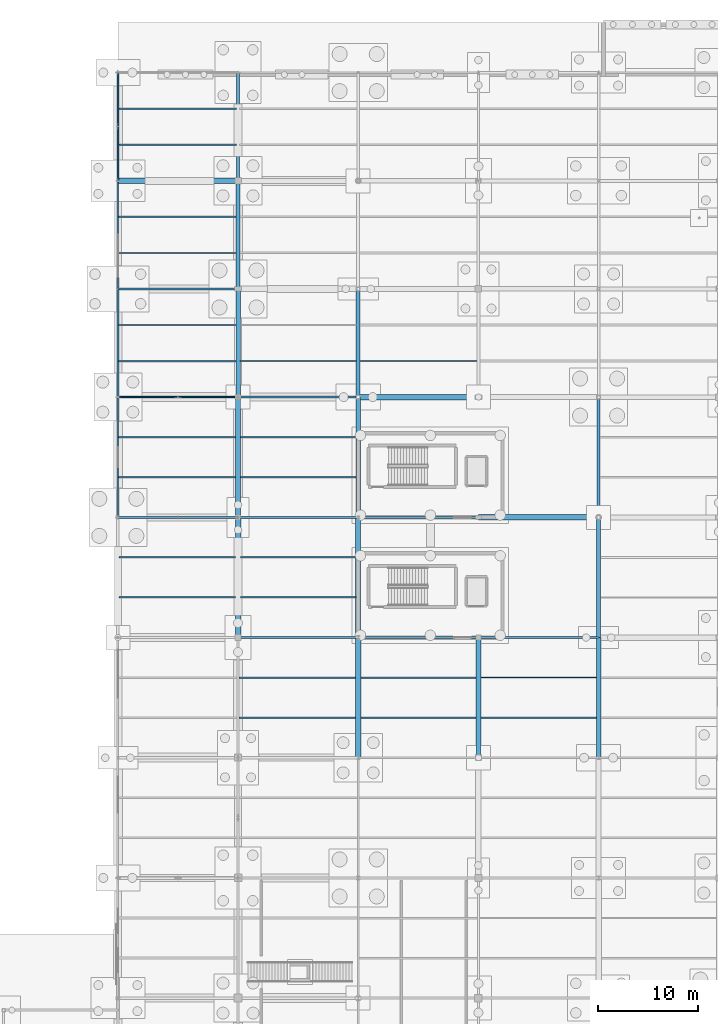
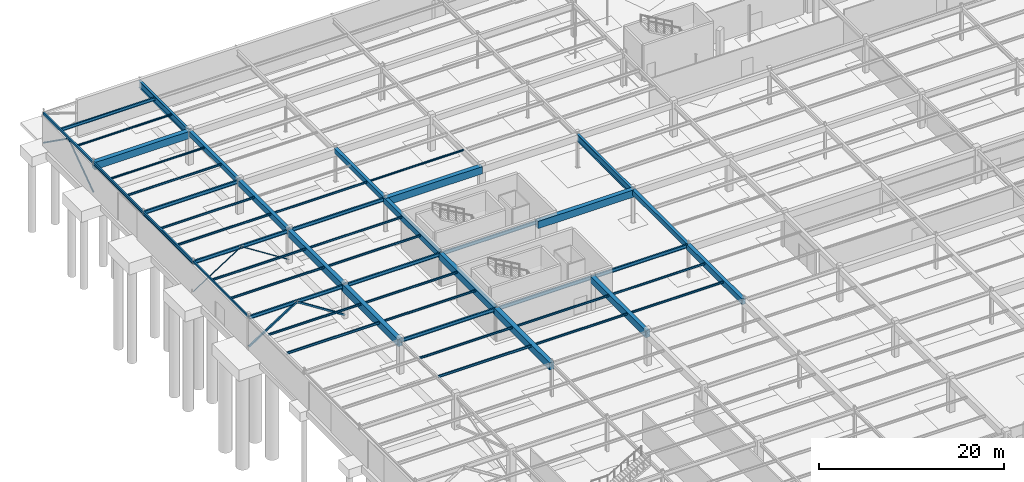
# One storey, part 81 of 136: 51 beams, 6 members.
"""IFC4 building model written with IfcOpenShell, lengths in metres."""

from ifc_helpers import new_model, si_unit, direction, frame, origin, origin_2d, place, context, subcontext, project, spatial, rectangle, hollow_rectangle, hollow_circle, i_section, extrude, material, material_profile, profile_set, type_object, element, save


model = new_model("IFC4")

# Units and contexts
model_context = context("Model", 3, precision=1e-05, world=origin(), true_north=direction((0.0, 1.0)))
body_context = subcontext(model_context, "Body", "Model", "MODEL_VIEW")
ifc_project = project(units=[si_unit("LENGTHUNIT", "METRE"), si_unit("AREAUNIT", "SQUARE_METRE"), si_unit("VOLUMEUNIT", "CUBIC_METRE"), si_unit("PLANEANGLEUNIT", "RADIAN"), si_unit("MASSUNIT", "GRAM", prefix="KILO")], contexts=[model_context])

# Site, building, storey
site_placement = place(None, origin())
site = spatial("IfcSite", under=ifc_project, at=site_placement, CompositionType="ELEMENT")
building_placement = place(site_placement, origin())
building = spatial("IfcBuilding", under=site, at=building_placement, Name="Tarnwether General Hospital", CompositionType="ELEMENT")
storey_placement = place(building_placement, frame((0.0, 0.0, -4.800048828125)))
storey = spatial("IfcBuildingStorey", under=building, at=storey_placement, Name="LG", CompositionType="ELEMENT", Elevation=-4.800048828125)

# Beams
ifc_material_1 = material(Name="Steel Grade 350 (350 MPa)", Category="steel")
ifc_material_profile_1 = material_profile(ifc_material_1, i_section(OverallWidth=0.300048828125, OverallDepth=0.89990234375, WebThickness=0.011962890625, FlangeThickness=0.02001953125, at=origin_2d()), Name="900WB175")
ifc_profile_set_1 = profile_set([ifc_material_profile_1], Name="Steel Grade 350 (350 MPa)")
beam_type_1 = type_object("IfcBeamType", Name="BM-G01", PredefinedType="BEAM", material=ifc_profile_set_1)
beam_1_placement = place(storey_placement, frame((12.0, 115.199951171875, 3.97998046875), z_axis=(0.0, 1.0, 0.0), x_axis=(-1.0, 0.0, 0.0)))
element("IfcBeam", 1, at=beam_1_placement, inside=storey, type_object=beam_type_1, Name="Primary Girder BMG-LG-1200_11520-1200_12600-0053", PredefinedType="BEAM", context=body_context, shape_type="SweptSolid", body=[
    extrude(i_section(OverallWidth=0.300048828125, OverallDepth=0.89990234375, WebThickness=0.011962890625, FlangeThickness=0.02001953125, at=origin_2d()), origin(), (0.0, 0.0, 1.0), 10.800048828125),
])
beam_2_placement = place(storey_placement, frame((48.0, 81.60009765625, 3.97998046875), z_axis=(0.0, 1.0, 0.0), x_axis=(-1.0, 0.0, 0.0)))
element("IfcBeam", 2, at=beam_2_placement, inside=storey, type_object=beam_type_1, Name="Primary Girder BMG-LG-4800_8160-4800_9360-0114", PredefinedType="BEAM", context=body_context, shape_type="SweptSolid", body=[
    extrude(i_section(OverallWidth=0.300048828125, OverallDepth=0.89990234375, WebThickness=0.011962890625, FlangeThickness=0.02001953125, at=origin_2d()), origin(), (0.0, 0.0, 1.0), 12.0),
])
ifc_material_2 = material(Name="Steel Grade 350 (350 MPa)", Category="steel")
ifc_material_profile_2 = material_profile(ifc_material_2, i_section(OverallWidth=0.19091796875, OverallDepth=0.4599609375, WebThickness=0.010009765625, FlangeThickness=0.01611328125, at=origin_2d()), Name="460UB82.1")
ifc_profile_set_2 = profile_set([ifc_material_profile_2], Name="Steel Grade 350 (350 MPa)")
beam_type_2 = type_object("IfcBeamType", Name="BM-G08", PredefinedType="BEAM", material=ifc_profile_set_2)
for number, where, z_axis, x_axis, name in (
    (3, (0.0, 81.60009765625, 4.199951171875), (1.0, 0.0, 0.0), (0.0, 1.0, 0.0), "Primary Girder BMG-LG-0_8160-1200_8160-0023"),
    (4, (12.0, 69.60009765625, 4.199951171875), (1.0, 0.0, 0.0), (0.0, 1.0, 0.0), "Primary Girder BMG-LG-1200_6960-2400_6960-0044"),
):
    element("IfcBeam", number, at=place(storey_placement, frame(where, z_axis=z_axis, x_axis=x_axis)), inside=storey, type_object=beam_type_2, Name=name, PredefinedType="BEAM", context=body_context, shape_type="SweptSolid", body=[
        extrude(i_section(OverallWidth=0.19091796875, OverallDepth=0.4599609375, WebThickness=0.010009765625, FlangeThickness=0.01611328125, at=origin_2d()), origin(), (0.0, 0.0, 1.0), 12.0),
    ])
ifc_material_3 = material(Name="Steel Grade 350 (350 MPa)", Category="steel")
ifc_material_profile_3 = material_profile(ifc_material_3, i_section(OverallWidth=0.18994140625, OverallDepth=0.45703125, WebThickness=0.009033203125, FlangeThickness=0.014404296875, at=origin_2d()), Name="460UB74.6")
ifc_profile_set_3 = profile_set([ifc_material_profile_3], Name="Steel Grade 350 (350 MPa)")
beam_type_3 = type_object("IfcBeamType", Name="BM-G09", PredefinedType="BEAM", material=ifc_profile_set_3)
for number, where, z_axis, x_axis, name in (
    (5, (0.0, 93.60009765625, 4.20166015625), (1.0, 0.0, 0.0), (0.0, 1.0, 0.0), "Primary Girder BMG-LG-0_9360-1200_9360-0025"),
    (6, (12.0, 81.60009765625, 4.20166015625), (1.0, 0.0, 0.0), (0.0, 1.0, 0.0), "Primary Girder BMG-LG-1200_8160-2400_8160-0046"),
    (7, (24.0, 69.60009765625, 4.20166015625), (1.0, 0.0, 0.0), (0.0, 1.0, 0.0), "Primary Girder BMG-LG-2400_6960-3600_6960-0067"),
):
    element("IfcBeam", number, at=place(storey_placement, frame(where, z_axis=z_axis, x_axis=x_axis)), inside=storey, type_object=beam_type_3, Name=name, PredefinedType="BEAM", context=body_context, shape_type="SweptSolid", body=[
        extrude(i_section(OverallWidth=0.18994140625, OverallDepth=0.45703125, WebThickness=0.009033203125, FlangeThickness=0.014404296875, at=origin_2d()), origin(), (0.0, 0.0, 1.0), 12.0),
    ])
ifc_material_4 = material(Name="Steel Grade 350 (350 MPa)", Category="steel")
ifc_material_profile_4 = material_profile(ifc_material_4, i_section(OverallWidth=0.18994140625, OverallDepth=0.4541015625, WebThickness=0.008544921875, FlangeThickness=0.0126953125, at=origin_2d()), Name="460UB67.1")
ifc_profile_set_4 = profile_set([ifc_material_profile_4], Name="Steel Grade 350 (350 MPa)")
beam_type_4 = type_object("IfcBeamType", Name="BM-G10", PredefinedType="BEAM", material=ifc_profile_set_4)
for number, where, z_axis, x_axis, name in (
    (8, (0.0, 104.39990234375, 4.203125), (1.0, 0.0, 0.0), (0.0, 1.0, 0.0), "Primary Girder BMG-LG-0_10440-1200_10440-0027"),
    (9, (12.0, 93.60009765625, 4.203125), (1.0, 0.0, 0.0), (0.0, 1.0, 0.0), "Primary Girder BMG-LG-1200_9360-2400_9360-0048"),
    (10, (24.0, 81.60009765625, 4.203125), (1.0, 0.0, 0.0), (0.0, 1.0, 0.0), "Primary Girder BMG-LG-2400_8160-3600_8160-0069"),
    (11, (36.0, 69.60009765625, 4.203125), (1.0, 0.0, 0.0), (0.0, 1.0, 0.0), "Primary Girder BMG-LG-3600_6960-4800_6960-0090"),
):
    element("IfcBeam", number, at=place(storey_placement, frame(where, z_axis=z_axis, x_axis=x_axis)), inside=storey, type_object=beam_type_4, Name=name, PredefinedType="BEAM", context=body_context, shape_type="SweptSolid", body=[
        extrude(i_section(OverallWidth=0.18994140625, OverallDepth=0.4541015625, WebThickness=0.008544921875, FlangeThickness=0.0126953125, at=origin_2d()), origin(), (0.0, 0.0, 1.0), 12.0),
    ])
ifc_material_5 = material(Name="Concrete 40 MPa", Category="concrete")
ifc_material_profile_5 = material_profile(ifc_material_5, rectangle(XDim=0.550048828125, YDim=0.949951171875, at=origin_2d()), Name="RC-BM-550x950")
ifc_profile_set_5 = profile_set([ifc_material_profile_5], Name="Concrete 40 MPa")
beam_type_5 = type_object("IfcBeamType", Name="BM-G11", PredefinedType="BEAM", material=ifc_profile_set_5)
for number, where, z_axis, x_axis, name in (
    (12, (0.0, 115.199951171875, 3.955078125), (1.0, 0.0, 0.0), (0.0, 1.0, 0.0), "Primary Girder BMG-LG-0_11520-1200_11520-0029"),
    (13, (12.0, 69.60009765625, 3.955078125), (0.0, 1.0, 0.0), (-1.0, 0.0, 0.0), "Primary Girder BMG-LG-1200_6960-1200_8160-0045"),
    (14, (24.0, 57.60009765625, 3.955078125), (0.0, 1.0, 0.0), (-1.0, 0.0, 0.0), "Primary Girder BMG-LG-2400_5760-2400_6960-0066"),
    (15, (24.0, 93.60009765625, 3.955078125), (1.0, 0.0, 0.0), (0.0, 1.0, 0.0), "Primary Girder BMG-LG-2400_9360-3600_9360-0071"),
    (16, (36.0, 81.60009765625, 3.955078125), (1.0, 0.0, 0.0), (0.0, 1.0, 0.0), "Primary Girder BMG-LG-3600_8160-4800_8160-0091"),
):
    element("IfcBeam", number, at=place(storey_placement, frame(where, z_axis=z_axis, x_axis=x_axis)), inside=storey, type_object=beam_type_5, Name=name, PredefinedType="BEAM", context=body_context, shape_type="SweptSolid", body=[
        extrude(rectangle(XDim=0.550048828125, YDim=0.949951171875, at=origin_2d()), origin(), (0.0, 0.0, 1.0), 12.0),
    ])
ifc_material_6 = material(Name="Concrete 40 MPa", Category="concrete")
ifc_material_profile_6 = material_profile(ifc_material_6, rectangle(XDim=0.5, YDim=0.89990234375, at=origin_2d()), Name="RC-BM-500x900")
ifc_profile_set_6 = profile_set([ifc_material_profile_6], Name="Concrete 40 MPa")
beam_type_6 = type_object("IfcBeamType", Name="BM-G12", PredefinedType="BEAM", material=ifc_profile_set_6)
for number, where, z_axis, x_axis, name in (
    (17, (12.0, 81.60009765625, 3.97998046875), (0.0, 1.0, 0.0), (-1.0, 0.0, 0.0), "Primary Girder BMG-LG-1200_8160-1200_9360-0047"),
    (18, (24.0, 69.60009765625, 3.97998046875), (0.0, 1.0, 0.0), (-1.0, 0.0, 0.0), "Primary Girder BMG-LG-2400_6960-2400_8160-0068"),
    (19, (36.0, 57.60009765625, 3.97998046875), (0.0, 1.0, 0.0), (-1.0, 0.0, 0.0), "Primary Girder BMG-LG-3600_5760-3600_6960-0089"),
):
    element("IfcBeam", number, at=place(storey_placement, frame(where, z_axis=z_axis, x_axis=x_axis)), inside=storey, type_object=beam_type_6, Name=name, PredefinedType="BEAM", context=body_context, shape_type="SweptSolid", body=[
        extrude(rectangle(XDim=0.5, YDim=0.89990234375, at=origin_2d()), origin(), (0.0, 0.0, 1.0), 12.0),
    ])
ifc_material_7 = material(Name="Concrete 40 MPa", Category="concrete")
ifc_material_profile_7 = material_profile(ifc_material_7, rectangle(XDim=0.449951171875, YDim=0.75, at=origin_2d()), Name="RC-BM-450x750")
ifc_profile_set_7 = profile_set([ifc_material_profile_7], Name="Concrete 40 MPa")
beam_type_7 = type_object("IfcBeamType", Name="BM-G13", PredefinedType="BEAM", material=ifc_profile_set_7)
beam_3_placement = place(storey_placement, frame((12.0, 93.60009765625, 4.054931640625), z_axis=(0.0, 1.0, 0.0), x_axis=(-1.0, 0.0, 0.0)))
element("IfcBeam", 20, at=beam_3_placement, inside=storey, type_object=beam_type_7, Name="Primary Girder BMG-LG-1200_9360-1200_10440-0049", PredefinedType="BEAM", context=body_context, shape_type="SweptSolid", body=[
    extrude(rectangle(XDim=0.449951171875, YDim=0.75, at=origin_2d()), origin(), (0.0, 0.0, 1.0), 10.7998046875),
])
for number, where, z_axis, x_axis, name in (
    (21, (24.0, 81.60009765625, 4.054931640625), (0.0, 1.0, 0.0), (-1.0, 0.0, 0.0), "Primary Girder BMG-LG-2400_8160-2400_9360-0070"),
    (22, (48.0, 57.60009765625, 4.054931640625), (0.0, 1.0, 0.0), (-1.0, 0.0, 0.0), "Primary Girder BMG-LG-4800_5760-4800_6960-0110"),
):
    element("IfcBeam", number, at=place(storey_placement, frame(where, z_axis=z_axis, x_axis=x_axis)), inside=storey, type_object=beam_type_7, Name=name, PredefinedType="BEAM", context=body_context, shape_type="SweptSolid", body=[
        extrude(rectangle(XDim=0.449951171875, YDim=0.75, at=origin_2d()), origin(), (0.0, 0.0, 1.0), 12.0),
    ])
ifc_material_8 = material(Name="Concrete 40 MPa", Category="concrete")
ifc_material_profile_8 = material_profile(ifc_material_8, rectangle(XDim=0.39990234375, YDim=0.64990234375, at=origin_2d()), Name="RC-BM-400x650")
ifc_profile_set_8 = profile_set([ifc_material_profile_8], Name="Concrete 40 MPa")
beam_type_8 = type_object("IfcBeamType", Name="BM-G14", PredefinedType="BEAM", material=ifc_profile_set_8)
beam_4_placement = place(storey_placement, frame((12.0, 104.39990234375, 4.10498046875), z_axis=(0.0, 1.0, 0.0), x_axis=(-1.0, 0.0, 0.0)))
element("IfcBeam", 23, at=beam_4_placement, inside=storey, type_object=beam_type_8, Name="Primary Girder BMG-LG-1200_10440-1200_11520-0051", PredefinedType="BEAM", context=body_context, shape_type="SweptSolid", body=[
    extrude(rectangle(XDim=0.39990234375, YDim=0.64990234375, at=origin_2d()), origin(), (0.0, 0.0, 1.0), 10.800048828125),
])
beam_5_placement = place(storey_placement, frame((24.0, 93.60009765625, 4.10498046875), z_axis=(0.0, 1.0, 0.0), x_axis=(-1.0, 0.0, 0.0)))
element("IfcBeam", 24, at=beam_5_placement, inside=storey, type_object=beam_type_8, Name="Primary Girder BMG-LG-2400_9360-2400_10440-0072", PredefinedType="BEAM", context=body_context, shape_type="SweptSolid", body=[
    extrude(rectangle(XDim=0.39990234375, YDim=0.64990234375, at=origin_2d()), origin(), (0.0, 0.0, 1.0), 10.7998046875),
])
beam_6_placement = place(storey_placement, frame((48.0, 69.60009765625, 4.10498046875), z_axis=(0.0, 1.0, 0.0), x_axis=(-1.0, 0.0, 0.0)))
element("IfcBeam", 25, at=beam_6_placement, inside=storey, type_object=beam_type_8, Name="Primary Girder BMG-LG-4800_6960-4800_8160-0112", PredefinedType="BEAM", context=body_context, shape_type="SweptSolid", body=[
    extrude(rectangle(XDim=0.39990234375, YDim=0.64990234375, at=origin_2d()), origin(), (0.0, 0.0, 1.0), 12.0),
])
ifc_material_9 = material(Name="Steel Grade 350 (350 MPa)", Category="steel")
ifc_material_profile_9 = material_profile(ifc_material_9, i_section(OverallWidth=0.177978515625, OverallDepth=0.406005859375, WebThickness=0.0078125, FlangeThickness=0.0126953125, at=origin_2d()), Name="410UB59.7")
ifc_profile_set_9 = profile_set([ifc_material_profile_9], Name="Steel Grade 350 (350 MPa)")
beam_type_9 = type_object("IfcBeamType", Name="BM-J01", PredefinedType="JOIST", material=ifc_profile_set_9)
beam_7_placement = place(storey_placement, frame((0.093994140625, 122.39990234375, 4.22705078125), z_axis=(1.0, 0.0, 0.0), x_axis=(0.0, 1.0, 0.0)))
element("IfcBeam", 26, at=beam_7_placement, inside=storey, type_object=beam_type_9, Name="Composite Floor Joist BMG-LG-9_12240-1186_12240-0355", PredefinedType="JOIST", context=body_context, shape_type="SweptSolid", body=[
    extrude(i_section(OverallWidth=0.177978515625, OverallDepth=0.406005859375, WebThickness=0.0078125, FlangeThickness=0.0126953125, at=origin_2d()), origin(), (0.0, 0.0, 1.0), 11.761962890625),
])
ifc_material_10 = material(Name="Steel Grade 350 (350 MPa)", Category="steel")
ifc_material_profile_10 = material_profile(ifc_material_10, i_section(OverallWidth=0.14892578125, OverallDepth=0.298095703125, WebThickness=0.005615234375, FlangeThickness=0.008056640625, at=origin_2d()), Name="310UB32.0")
ifc_profile_set_10 = profile_set([ifc_material_profile_10], Name="Steel Grade 350 (350 MPa)")
beam_type_10 = type_object("IfcBeamType", Name="BM-J08", PredefinedType="JOIST", material=ifc_profile_set_10)
beam_8_placement = place(storey_placement, frame((0.118896484375, 73.60009765625, 4.281005859375), z_axis=(1.0, 0.0, 0.0), x_axis=(0.0, 1.0, 0.0)))
element("IfcBeam", 27, at=beam_8_placement, inside=storey, type_object=beam_type_10, Name="Composite Floor Joist BMG-LG-12_7360-1173_7360-0346", PredefinedType="JOIST", context=body_context, shape_type="SweptSolid", body=[
    extrude(i_section(OverallWidth=0.14892578125, OverallDepth=0.298095703125, WebThickness=0.005615234375, FlangeThickness=0.008056640625, at=origin_2d()), origin(), (0.0, 0.0, 1.0), 11.612060546875),
])
beam_9_placement = place(storey_placement, frame((12.089111328125, 61.60009765625, 4.281005859375), z_axis=(1.0, 0.0, 0.0), x_axis=(0.0, 1.0, 0.0)))
element("IfcBeam", 28, at=beam_9_placement, inside=storey, type_object=beam_type_10, Name="Composite Floor Joist BMG-LG-1209_6160-2373_6160-0365", PredefinedType="JOIST", context=body_context, shape_type="SweptSolid", body=[
    extrude(i_section(OverallWidth=0.14892578125, OverallDepth=0.298095703125, WebThickness=0.005615234375, FlangeThickness=0.008056640625, at=origin_2d()), origin(), (0.0, 0.0, 1.0), 11.641845703125),
])
ifc_material_11 = material(Name="Steel Grade 350 (350 MPa)", Category="steel")
ifc_material_profile_11 = material_profile(ifc_material_11, i_section(OverallWidth=0.14599609375, OverallDepth=0.256103515625, WebThickness=0.00634765625, FlangeThickness=0.010986328125, at=origin_2d()), Name="250UB37.3")
ifc_profile_set_11 = profile_set([ifc_material_profile_11], Name="Steel Grade 350 (350 MPa)")
beam_type_11 = type_object("IfcBeamType", Name="BM-J09", PredefinedType="JOIST", material=ifc_profile_set_11)
beam_10_placement = place(storey_placement, frame((0.118896484375, 77.60009765625, 4.302001953125), z_axis=(1.0, 0.0, 0.0), x_axis=(0.0, 1.0, 0.0)))
element("IfcBeam", 29, at=beam_10_placement, inside=storey, type_object=beam_type_11, Name="Composite Floor Joist BMG-LG-12_7760-1173_7760-0347", PredefinedType="JOIST", context=body_context, shape_type="SweptSolid", body=[
    extrude(i_section(OverallWidth=0.14599609375, OverallDepth=0.256103515625, WebThickness=0.00634765625, FlangeThickness=0.010986328125, at=origin_2d()), origin(), (0.0, 0.0, 1.0), 11.612060546875),
])
beam_11_placement = place(storey_placement, frame((0.080078125, 85.60009765625, 4.302001953125), z_axis=(1.0, 0.0, 0.0), x_axis=(0.0, 1.0, 0.0)))
element("IfcBeam", 30, at=beam_11_placement, inside=storey, type_object=beam_type_11, Name="Composite Floor Joist BMG-LG-8_8560-1176_8560-0348", PredefinedType="JOIST", context=body_context, shape_type="SweptSolid", body=[
    extrude(i_section(OverallWidth=0.14599609375, OverallDepth=0.256103515625, WebThickness=0.00634765625, FlangeThickness=0.010986328125, at=origin_2d()), origin(), (0.0, 0.0, 1.0), 11.676025390625),
])
beam_12_placement = place(storey_placement, frame((12.089111328125, 65.60009765625, 4.302001953125), z_axis=(1.0, 0.0, 0.0), x_axis=(0.0, 1.0, 0.0)))
element("IfcBeam", 31, at=beam_12_placement, inside=storey, type_object=beam_type_11, Name="Composite Floor Joist BMG-LG-1209_6560-2373_6560-0366", PredefinedType="JOIST", context=body_context, shape_type="SweptSolid", body=[
    extrude(i_section(OverallWidth=0.14599609375, OverallDepth=0.256103515625, WebThickness=0.00634765625, FlangeThickness=0.010986328125, at=origin_2d()), origin(), (0.0, 0.0, 1.0), 11.641845703125),
])
for number, where, z_axis, x_axis, name in (
    (32, (12.26904296875, 73.60009765625, 4.302001953125), (1.0, 0.0, 0.0), (0.0, 1.0, 0.0), "Composite Floor Joist BMG-LG-1227_7360-2376_7360-0367"),
    (33, (24.26904296875, 61.60009765625, 4.302001953125), (1.0, 0.0, 0.0), (0.0, 1.0, 0.0), "Composite Floor Joist BMG-LG-2427_6160-3576_6160-0387"),
):
    element("IfcBeam", number, at=place(storey_placement, frame(where, z_axis=z_axis, x_axis=x_axis)), inside=storey, type_object=beam_type_11, Name=name, PredefinedType="JOIST", context=body_context, shape_type="SweptSolid", body=[
        extrude(i_section(OverallWidth=0.14599609375, OverallDepth=0.256103515625, WebThickness=0.00634765625, FlangeThickness=0.010986328125, at=origin_2d()), origin(), (0.0, 0.0, 1.0), 11.487060546875),
    ])
ifc_material_12 = material(Name="Steel Grade 350 (350 MPa)", Category="steel")
ifc_material_profile_12 = material_profile(ifc_material_12, i_section(OverallWidth=0.14599609375, OverallDepth=0.251953125, WebThickness=0.006103515625, FlangeThickness=0.008544921875, at=origin_2d()), Name="250UB31.4")
ifc_profile_set_12 = profile_set([ifc_material_profile_12], Name="Steel Grade 350 (350 MPa)")
beam_type_12 = type_object("IfcBeamType", Name="BM-J10", PredefinedType="JOIST", material=ifc_profile_set_12)
beam_13_placement = place(storey_placement, frame((0.080078125, 89.60009765625, 4.303955078125), z_axis=(1.0, 0.0, 0.0), x_axis=(0.0, 1.0, 0.0)))
element("IfcBeam", 34, at=beam_13_placement, inside=storey, type_object=beam_type_12, Name="Composite Floor Joist BMG-LG-8_8960-1176_8960-0349", PredefinedType="JOIST", context=body_context, shape_type="SweptSolid", body=[
    extrude(i_section(OverallWidth=0.14599609375, OverallDepth=0.251953125, WebThickness=0.006103515625, FlangeThickness=0.008544921875, at=origin_2d()), origin(), (0.0, 0.0, 1.0), 11.676025390625),
])
beam_14_placement = place(storey_placement, frame((0.089111328125, 97.199951171875, 4.303955078125), z_axis=(1.0, 0.0, 0.0), x_axis=(0.0, 1.0, 0.0)))
element("IfcBeam", 35, at=beam_14_placement, inside=storey, type_object=beam_type_12, Name="Composite Floor Joist BMG-LG-9_9720-1178_9720-0350", PredefinedType="JOIST", context=body_context, shape_type="SweptSolid", body=[
    extrude(i_section(OverallWidth=0.14599609375, OverallDepth=0.251953125, WebThickness=0.006103515625, FlangeThickness=0.008544921875, at=origin_2d()), origin(), (0.0, 0.0, 1.0), 11.69189453125),
])
beam_15_placement = place(storey_placement, frame((12.26904296875, 77.60009765625, 4.303955078125), z_axis=(1.0, 0.0, 0.0), x_axis=(0.0, 1.0, 0.0)))
element("IfcBeam", 36, at=beam_15_placement, inside=storey, type_object=beam_type_12, Name="Composite Floor Joist BMG-LG-1227_7760-2376_7760-0368", PredefinedType="JOIST", context=body_context, shape_type="SweptSolid", body=[
    extrude(i_section(OverallWidth=0.14599609375, OverallDepth=0.251953125, WebThickness=0.006103515625, FlangeThickness=0.008544921875, at=origin_2d()), origin(), (0.0, 0.0, 1.0), 11.487060546875),
])
beam_16_placement = place(storey_placement, frame((12.243896484375, 85.60009765625, 4.303955078125), z_axis=(1.0, 0.0, 0.0), x_axis=(0.0, 1.0, 0.0)))
element("IfcBeam", 37, at=beam_16_placement, inside=storey, type_object=beam_type_12, Name="Composite Floor Joist BMG-LG-1224_8560-2378_8560-0369", PredefinedType="JOIST", context=body_context, shape_type="SweptSolid", body=[
    extrude(i_section(OverallWidth=0.14599609375, OverallDepth=0.251953125, WebThickness=0.006103515625, FlangeThickness=0.008544921875, at=origin_2d()), origin(), (0.0, 0.0, 1.0), 11.537109375),
])
beam_17_placement = place(storey_placement, frame((24.26904296875, 65.60009765625, 4.303955078125), z_axis=(1.0, 0.0, 0.0), x_axis=(0.0, 1.0, 0.0)))
element("IfcBeam", 38, at=beam_17_placement, inside=storey, type_object=beam_type_12, Name="Composite Floor Joist BMG-LG-2427_6560-3576_6560-0388", PredefinedType="JOIST", context=body_context, shape_type="SweptSolid", body=[
    extrude(i_section(OverallWidth=0.14599609375, OverallDepth=0.251953125, WebThickness=0.006103515625, FlangeThickness=0.008544921875, at=origin_2d()), origin(), (0.0, 0.0, 1.0), 11.487060546875),
])
beam_18_placement = place(storey_placement, frame((36.243896484375, 61.60009765625, 4.303955078125), z_axis=(1.0, 0.0, 0.0), x_axis=(0.0, 1.0, 0.0)))
element("IfcBeam", 39, at=beam_18_placement, inside=storey, type_object=beam_type_12, Name="Composite Floor Joist BMG-LG-3624_6160-4778_6160-0405", PredefinedType="JOIST", context=body_context, shape_type="SweptSolid", body=[
    extrude(i_section(OverallWidth=0.14599609375, OverallDepth=0.251953125, WebThickness=0.006103515625, FlangeThickness=0.008544921875, at=origin_2d()), origin(), (0.0, 0.0, 1.0), 11.537109375),
])
ifc_material_13 = material(Name="Steel Grade 350 (350 MPa)", Category="steel")
ifc_material_profile_13 = material_profile(ifc_material_13, i_section(OverallWidth=0.1240234375, OverallDepth=0.248046875, WebThickness=0.0048828125, FlangeThickness=0.008056640625, at=origin_2d()), Name="250UB25.7")
ifc_profile_set_13 = profile_set([ifc_material_profile_13], Name="Steel Grade 350 (350 MPa)")
beam_type_13 = type_object("IfcBeamType", Name="BM-J11", PredefinedType="JOIST", material=ifc_profile_set_13)
beam_19_placement = place(storey_placement, frame((0.089111328125, 100.800048828125, 4.30615234375), z_axis=(1.0, 0.0, 0.0), x_axis=(0.0, 1.0, 0.0)))
element("IfcBeam", 40, at=beam_19_placement, inside=storey, type_object=beam_type_13, Name="Composite Floor Joist BMG-LG-9_10080-1178_10080-0351", PredefinedType="JOIST", context=body_context, shape_type="SweptSolid", body=[
    extrude(i_section(OverallWidth=0.1240234375, OverallDepth=0.248046875, WebThickness=0.0048828125, FlangeThickness=0.008056640625, at=origin_2d()), origin(), (0.0, 0.0, 1.0), 11.69189453125),
])
beam_20_placement = place(storey_placement, frame((0.0830078125, 108.0, 4.30615234375), z_axis=(1.0, 0.0, 0.0), x_axis=(0.0, 1.0, 0.0)))
element("IfcBeam", 41, at=beam_20_placement, inside=storey, type_object=beam_type_13, Name="Composite Floor Joist BMG-LG-8_10800-1181_10800-0352", PredefinedType="JOIST", context=body_context, shape_type="SweptSolid", body=[
    extrude(i_section(OverallWidth=0.1240234375, OverallDepth=0.248046875, WebThickness=0.0048828125, FlangeThickness=0.008056640625, at=origin_2d()), origin(), (0.0, 0.0, 1.0), 11.722900390625),
])
beam_21_placement = place(storey_placement, frame((12.243896484375, 89.60009765625, 4.30615234375), z_axis=(1.0, 0.0, 0.0), x_axis=(0.0, 1.0, 0.0)))
element("IfcBeam", 42, at=beam_21_placement, inside=storey, type_object=beam_type_13, Name="Composite Floor Joist BMG-LG-1224_8960-2378_8960-0370", PredefinedType="JOIST", context=body_context, shape_type="SweptSolid", body=[
    extrude(i_section(OverallWidth=0.1240234375, OverallDepth=0.248046875, WebThickness=0.0048828125, FlangeThickness=0.008056640625, at=origin_2d()), origin(), (0.0, 0.0, 1.0), 11.537109375),
])
beam_22_placement = place(storey_placement, frame((12.218994140625, 97.199951171875, 4.30615234375), z_axis=(1.0, 0.0, 0.0), x_axis=(0.0, 1.0, 0.0)))
element("IfcBeam", 43, at=beam_22_placement, inside=storey, type_object=beam_type_13, Name="Composite Floor Joist BMG-LG-1222_9720-2381_9720-0371", PredefinedType="JOIST", context=body_context, shape_type="SweptSolid", body=[
    extrude(i_section(OverallWidth=0.1240234375, OverallDepth=0.248046875, WebThickness=0.0048828125, FlangeThickness=0.008056640625, at=origin_2d()), origin(), (0.0, 0.0, 1.0), 11.5869140625),
])
beam_23_placement = place(storey_placement, frame((36.243896484375, 65.60009765625, 4.30615234375), z_axis=(1.0, 0.0, 0.0), x_axis=(0.0, 1.0, 0.0)))
element("IfcBeam", 44, at=beam_23_placement, inside=storey, type_object=beam_type_13, Name="Composite Floor Joist BMG-LG-3624_6560-4778_6560-0406", PredefinedType="JOIST", context=body_context, shape_type="SweptSolid", body=[
    extrude(i_section(OverallWidth=0.1240234375, OverallDepth=0.248046875, WebThickness=0.0048828125, FlangeThickness=0.008056640625, at=origin_2d()), origin(), (0.0, 0.0, 1.0), 11.537109375),
])
ifc_material_14 = material(Name="Steel Grade 350 (350 MPa)", Category="steel")
ifc_material_profile_14 = material_profile(ifc_material_14, i_section(OverallWidth=0.134033203125, OverallDepth=0.20703125, WebThickness=0.00634765625, FlangeThickness=0.009521484375, at=origin_2d()), Name="200UB29.8")
ifc_profile_set_14 = profile_set([ifc_material_profile_14], Name="Steel Grade 350 (350 MPa)")
beam_type_14 = type_object("IfcBeamType", Name="BM-J12", PredefinedType="JOIST", material=ifc_profile_set_14)
beam_24_placement = place(storey_placement, frame((0.0830078125, 111.60009765625, 4.32666015625), z_axis=(1.0, 0.0, 0.0), x_axis=(0.0, 1.0, 0.0)))
element("IfcBeam", 45, at=beam_24_placement, inside=storey, type_object=beam_type_14, Name="Composite Floor Joist BMG-LG-8_11160-1181_11160-0353", PredefinedType="JOIST", context=body_context, shape_type="SweptSolid", body=[
    extrude(i_section(OverallWidth=0.134033203125, OverallDepth=0.20703125, WebThickness=0.00634765625, FlangeThickness=0.009521484375, at=origin_2d()), origin(), (0.0, 0.0, 1.0), 11.722900390625),
])
beam_25_placement = place(storey_placement, frame((0.093994140625, 118.800048828125, 4.32666015625), z_axis=(1.0, 0.0, 0.0), x_axis=(0.0, 1.0, 0.0)))
element("IfcBeam", 46, at=beam_25_placement, inside=storey, type_object=beam_type_14, Name="Composite Floor Joist BMG-LG-9_11880-1186_11880-0354", PredefinedType="JOIST", context=body_context, shape_type="SweptSolid", body=[
    extrude(i_section(OverallWidth=0.134033203125, OverallDepth=0.20703125, WebThickness=0.00634765625, FlangeThickness=0.009521484375, at=origin_2d()), origin(), (0.0, 0.0, 1.0), 11.761962890625),
])
beam_26_placement = place(storey_placement, frame((24.194091796875, 97.199951171875, 4.32666015625), z_axis=(1.0, 0.0, 0.0), x_axis=(0.0, 1.0, 0.0)))
element("IfcBeam", 47, at=beam_26_placement, inside=storey, type_object=beam_type_14, Name="Composite Floor Joist BMG-LG-2419_9720-3586_9720-0389", PredefinedType="JOIST", context=body_context, shape_type="SweptSolid", body=[
    extrude(i_section(OverallWidth=0.134033203125, OverallDepth=0.20703125, WebThickness=0.00634765625, FlangeThickness=0.009521484375, at=origin_2d()), origin(), (0.0, 0.0, 1.0), 11.661865234375),
])
ifc_material_15 = material(Name="Steel Grade 350 (350 MPa)", Category="steel")
ifc_material_profile_15 = material_profile(ifc_material_15, i_section(OverallWidth=0.18994140625, OverallDepth=0.4541015625, WebThickness=0.008544921875, FlangeThickness=0.0126953125, at=origin_2d()), Name="460UB67.1")
ifc_profile_set_15 = profile_set([ifc_material_profile_15], Name="Steel Grade 350 (350 MPa)")
beam_type_15 = type_object("IfcBeamType", Name="BM-SP1", PredefinedType="SPANDREL", material=ifc_profile_set_15)
beam_27_placement = place(storey_placement, frame((0.0, 93.60009765625, 4.203125), z_axis=(0.0, 1.0, 0.0), x_axis=(-1.0, 0.0, 0.0)))
element("IfcBeam", 48, at=beam_27_placement, inside=storey, type_object=beam_type_15, Name="Primary Girder BMG-LG-0_9360-0_10440-0026", PredefinedType="SPANDREL", context=body_context, shape_type="SweptSolid", body=[
    extrude(i_section(OverallWidth=0.18994140625, OverallDepth=0.4541015625, WebThickness=0.008544921875, FlangeThickness=0.0126953125, at=origin_2d()), origin(), (0.0, 0.0, 1.0), 10.7998046875),
])
ifc_material_16 = material(Name="Steel Grade 350 (350 MPa)", Category="steel")
ifc_material_profile_16 = material_profile(ifc_material_16, i_section(OverallWidth=0.177978515625, OverallDepth=0.403076171875, WebThickness=0.007568359375, FlangeThickness=0.010986328125, at=origin_2d()), Name="410UB53.7")
ifc_profile_set_16 = profile_set([ifc_material_profile_16], Name="Steel Grade 350 (350 MPa)")
beam_type_16 = type_object("IfcBeamType", Name="BM-SP2", PredefinedType="SPANDREL", material=ifc_profile_set_16)
beam_28_placement = place(storey_placement, frame((0.0, 104.39990234375, 4.228515625), z_axis=(0.0, 1.0, 0.0), x_axis=(-1.0, 0.0, 0.0)))
element("IfcBeam", 49, at=beam_28_placement, inside=storey, type_object=beam_type_16, Name="Primary Girder BMG-LG-0_10440-0_11520-0028", PredefinedType="SPANDREL", context=body_context, shape_type="SweptSolid", body=[
    extrude(i_section(OverallWidth=0.177978515625, OverallDepth=0.403076171875, WebThickness=0.007568359375, FlangeThickness=0.010986328125, at=origin_2d()), origin(), (0.0, 0.0, 1.0), 10.800048828125),
])
ifc_material_17 = material(Name="Steel Grade C350L0 (350 MPa)", Category="steel")
ifc_material_profile_17 = material_profile(ifc_material_17, hollow_rectangle(XDim=0.199951171875, YDim=0.300048828125, WallThickness=0.012451171875, at=origin_2d()), Name="RHS300x200x12.5")
ifc_profile_set_17 = profile_set([ifc_material_profile_17], Name="Steel Grade C350L0 (350 MPa)")
beam_type_17 = type_object("IfcBeamType", Name="BM-SP3", PredefinedType="SPANDREL", material=ifc_profile_set_17)
beam_29_placement = place(storey_placement, frame((0.0, 115.199951171875, 4.280029296875), z_axis=(0.0, 1.0, 0.0), x_axis=(-1.0, 0.0, 0.0)))
element("IfcBeam", 50, at=beam_29_placement, inside=storey, type_object=beam_type_17, Name="Primary Girder BMG-LG-0_11520-0_12600-0030", PredefinedType="SPANDREL", context=body_context, shape_type="SweptSolid", body=[
    extrude(hollow_rectangle(XDim=0.199951171875, YDim=0.300048828125, WallThickness=0.012451171875, at=origin_2d()), origin(), (0.0, 0.0, 1.0), 10.800048828125),
])
ifc_material_18 = material(Name="Steel Grade C350L0 (350 MPa)", Category="steel")
ifc_material_profile_18 = material_profile(ifc_material_18, hollow_rectangle(XDim=0.14990234375, YDim=0.25, WallThickness=0.008056640625, at=origin_2d()), Name="RHS250x150x8")
ifc_profile_set_18 = profile_set([ifc_material_profile_18], Name="Steel Grade C350L0 (350 MPa)")
beam_type_18 = type_object("IfcBeamType", Name="BM-SP8", PredefinedType="SPANDREL", material=ifc_profile_set_18)
beam_30_placement = place(storey_placement, frame((0.0, 81.60009765625, 4.304931640625), z_axis=(0.0, 1.0, 0.0), x_axis=(-1.0, 0.0, 0.0)))
element("IfcBeam", 51, at=beam_30_placement, inside=storey, type_object=beam_type_18, Name="Primary Girder BMG-LG-0_8160-0_9360-0024", PredefinedType="SPANDREL", context=body_context, shape_type="SweptSolid", body=[
    extrude(hollow_rectangle(XDim=0.14990234375, YDim=0.25, WallThickness=0.008056640625, at=origin_2d()), origin(), (0.0, 0.0, 1.0), 12.0),
])

# Members
ifc_material_19 = material(Name="Steel Grade C350L0 (350 MPa)", Category="steel")
ifc_material_profile_19 = material_profile(ifc_material_19, hollow_circle(Radius=0.096923828125, WallThickness=0.008056640625, at=origin_2d()), Name="CHS193.7x8.0")
ifc_profile_set_19 = profile_set([ifc_material_profile_19], Name="Steel Grade C350L0 (350 MPa)")
member_type_1 = type_object("IfcMemberType", Name="MB-BR10", PredefinedType="BRACE", material=ifc_profile_set_19)
member_1_placement = place(storey_placement, frame((0.0, 115.199951171875, 0.360107421875), z_axis=(0.0, 0.815687331464, 0.57849302268), x_axis=(-1.0, 0.0, 0.0)))
element("IfcMember", 52, at=member_1_placement, inside=storey, type_object=member_type_1, Name="Braced Frame Diagonal 007", PredefinedType="BRACE", context=body_context, shape_type="SweptSolid", body=[
    extrude(hollow_circle(Radius=0.096923828125, WallThickness=0.008056640625, at=origin_2d()), origin(), (0.0, 0.0, 1.0), 6.620361328125),
])
member_2_placement = place(storey_placement, frame((0.0, 126.0, 0.360107421875), z_axis=(0.0, -0.815674989789, 0.578510424307), x_axis=(1.0, 0.0, 0.0)))
element("IfcMember", 53, at=member_2_placement, inside=storey, type_object=member_type_1, Name="Braced Frame Diagonal 008", PredefinedType="BRACE", context=body_context, shape_type="SweptSolid", body=[
    extrude(hollow_circle(Radius=0.096923828125, WallThickness=0.008056640625, at=origin_2d()), origin(), (0.0, 0.0, 1.0), 6.6201171875),
])
ifc_material_20 = material(Name="Steel Grade C350L0 (350 MPa)", Category="steel")
ifc_material_profile_20 = material_profile(ifc_material_20, hollow_rectangle(XDim=0.199951171875, YDim=0.199951171875, WallThickness=0.010009765625, at=origin_2d()), Name="SHS200x200x10")
ifc_profile_set_20 = profile_set([ifc_material_profile_20], Name="Steel Grade C350L0 (350 MPa)")
member_type_2 = type_object("IfcMemberType", Name="MB-BR4", PredefinedType="BRACE", material=ifc_profile_set_20)
for number, where, z_axis, x_axis, name in (
    (54, (0.0, 81.60009765625, 0.360107421875), (0.842919230926, 0.0, 0.538040119447), (0.0, 1.0, 0.0), "Braced Frame Diagonal 003"),
    (55, (12.0, 81.60009765625, 0.360107421875), (-0.842919230926, 0.0, 0.538040119447), (0.0, -1.0, 0.0), "Braced Frame Diagonal 004"),
):
    element("IfcMember", number, at=place(storey_placement, frame(where, z_axis=z_axis, x_axis=x_axis)), inside=storey, type_object=member_type_2, Name=name, PredefinedType="BRACE", context=body_context, shape_type="SweptSolid", body=[
        extrude(hollow_rectangle(XDim=0.199951171875, YDim=0.199951171875, WallThickness=0.010009765625, at=origin_2d()), origin(), (0.0, 0.0, 1.0), 7.1181640625),
    ])
ifc_material_21 = material(Name="Steel Grade C350L0 (350 MPa)", Category="steel")
ifc_material_profile_21 = material_profile(ifc_material_21, hollow_circle(Radius=0.05712890625, WallThickness=0.006103515625, at=origin_2d()), Name="CHS114.3x6.0")
ifc_profile_set_21 = profile_set([ifc_material_profile_21], Name="Steel Grade C350L0 (350 MPa)")
member_type_3 = type_object("IfcMemberType", Name="MB-BR7", PredefinedType="BRACE", material=ifc_profile_set_21)
for number, where, z_axis, x_axis, name in (
    (56, (0.0, 93.60009765625, 0.360107421875), (0.842919230926, 0.0, 0.538040119447), (0.0, 1.0, 0.0), "Braced Frame Diagonal 005"),
    (57, (12.0, 93.60009765625, 0.360107421875), (-0.842919230926, 0.0, 0.538040119447), (0.0, -1.0, 0.0), "Braced Frame Diagonal 006"),
):
    element("IfcMember", number, at=place(storey_placement, frame(where, z_axis=z_axis, x_axis=x_axis)), inside=storey, type_object=member_type_3, Name=name, PredefinedType="BRACE", context=body_context, shape_type="SweptSolid", body=[
        extrude(hollow_circle(Radius=0.05712890625, WallThickness=0.006103515625, at=origin_2d()), origin(), (0.0, 0.0, 1.0), 7.1181640625),
    ])

save(model, "model.ifc")
